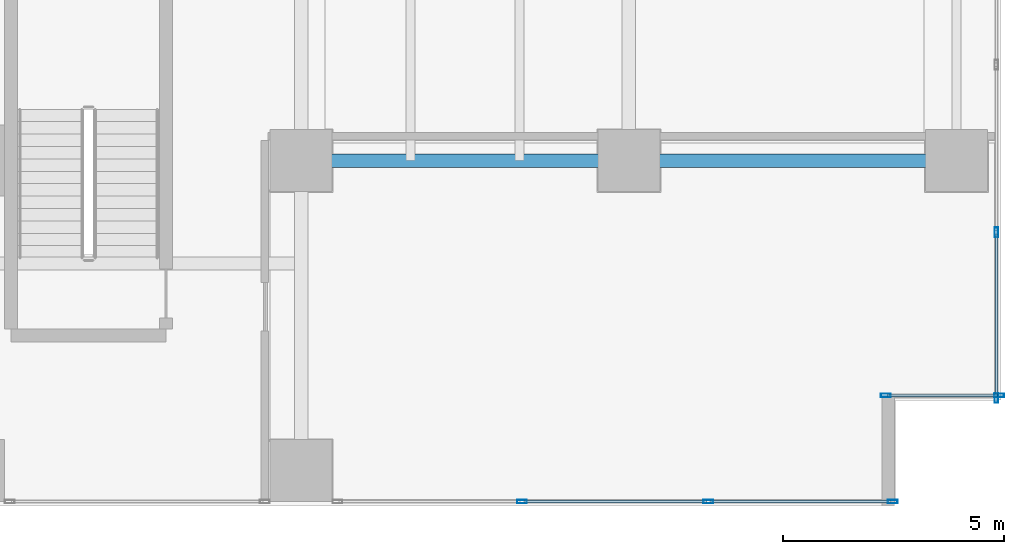
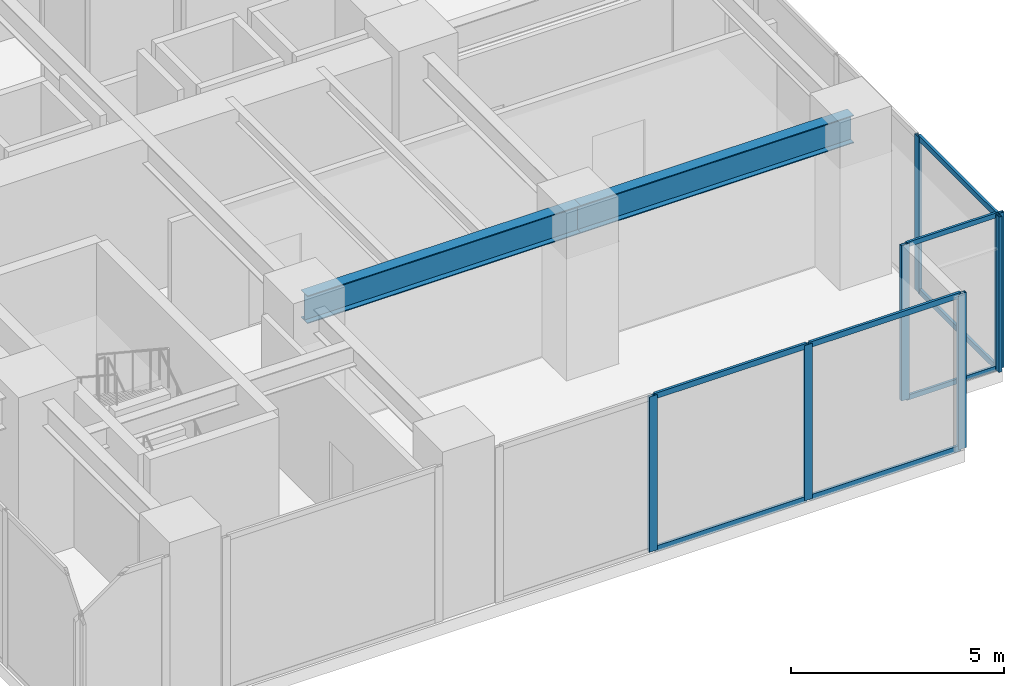
# One storey, part 23 of 39: 15 members, 2 beams, 3 elements without a shape of their own.
"""IFC4 building model written with IfcOpenShell, lengths in metres."""

from ifc_helpers import new_model, si_unit, direction, frame, origin, origin_2d, place, context, subcontext, project, spatial, hollow_rectangle, i_section, extrude, source, transform, mapped, material, layer, layer_set, material_profile, profile_set, type_object, type_shapes, element, aggregate, save


model = new_model("IFC4")

# Units and contexts
model_context = context("Model", 3, precision=1e-05, world=origin(), true_north=direction((0.0, 1.0)))
body_context = subcontext(model_context, "Body", "Model", "MODEL_VIEW")
ifc_project = project(units=[si_unit("LENGTHUNIT", "METRE"), si_unit("AREAUNIT", "SQUARE_METRE"), si_unit("VOLUMEUNIT", "CUBIC_METRE"), si_unit("PLANEANGLEUNIT", "RADIAN"), si_unit("MASSUNIT", "GRAM", prefix="KILO")], contexts=[model_context])

# Site, building, storey
site_placement = place(None, origin())
site = spatial("IfcSite", under=ifc_project, at=site_placement, CompositionType="ELEMENT")
building_placement = place(site_placement, origin())
building = spatial("IfcBuilding", under=site, at=building_placement, Name="Haelvirn Gate Laboratories", CompositionType="ELEMENT")
storey_placement = place(building_placement, frame((0.0, 0.0, 15.0)))
storey = spatial("IfcBuildingStorey", under=building, at=storey_placement, Name="L04", CompositionType="ELEMENT", Elevation=15.0)

# Beams
ifc_material_1 = material(Name="Steel SM420", Category="steel")
ifc_material_profile_1 = material_profile(ifc_material_1, i_section(OverallWidth=0.300048828125, OverallDepth=0.800048828125, WebThickness=0.013916015625, FlangeThickness=0.02587890625, at=origin_2d()), Name="H-800x300x14x26")
ifc_profile_set_1 = profile_set([ifc_material_profile_1], Name="Steel SM420")
beam_type = type_object("IfcBeamType", Name="BM-G-800", PredefinedType="BEAM", material=ifc_profile_set_1)
shared_shape_1 = source(origin(), body_context, "Body", "SweptSolid", [
    extrude(i_section(OverallWidth=0.300048828125, OverallDepth=0.800048828125, WebThickness=0.013916015625, FlangeThickness=0.02587890625, at=origin_2d()), origin(), (0.0, 0.0, 1.0), 7.400146484375),
])
beam_1_placement = place(storey_placement, frame((67.39990234375, 7.0, 4.050048828125), z_axis=(1.0, 0.0, 0.0), x_axis=(0.0, 1.0, 0.0)))
element("IfcBeam", 1, at=beam_1_placement, inside=storey, type_object=beam_type, Name="L04 Primary Girder Y7.0 (67.4-74.8)", PredefinedType="BEAM", context=body_context, shape_type="MappedRepresentation", body=[
    mapped(shared_shape_1, transform((0.0, 0.0, 0.0), scale=1.0)),
])
shared_shape_2 = source(origin(), body_context, "Body", "SweptSolid", [
    extrude(i_section(OverallWidth=0.300048828125, OverallDepth=0.800048828125, WebThickness=0.013916015625, FlangeThickness=0.02587890625, at=origin_2d()), origin(), (0.0, 0.0, 1.0), 7.39990234375),
])
type_shapes(beam_type, [shared_shape_1, shared_shape_2])
beam_2_placement = place(storey_placement, frame((60.0, 7.0, 4.050048828125), z_axis=(1.0, 0.0, 0.0), x_axis=(0.0, 1.0, 0.0)))
element("IfcBeam", 2, at=beam_2_placement, inside=storey, type_object=beam_type, Name="L04 Primary Girder Y7.0 (60.0-67.4)", PredefinedType="BEAM", context=body_context, shape_type="MappedRepresentation", body=[
    mapped(shared_shape_2, transform((0.0, 0.0, 0.0), scale=1.0)),
])

# Curtain wall, members
ifc_material_2 = material(Name="Anodised bronze unitised aluminium & triple low-E glass", Category="aluminium")
ifc_layer_1 = layer(ifc_material_2, 0.181884765625, Name="CW-SYS-5")
ifc_layer_set_1 = layer_set([ifc_layer_1], Name="Anodised bronze unitised aluminium & triple low-E glass")
curtain_wall_type_1 = type_object("IfcCurtainWallType", Name="CW-SYS-5", PredefinedType="NOTDEFINED", material=ifc_layer_set_1)
curtain_wall_1_placement = place(storey_placement, origin())
curtain_wall_1 = element("IfcCurtainWall", 3, at=curtain_wall_1_placement, inside=storey, type_object=curtain_wall_type_1, Name="L04 Unitised Curtain Wall CW-L04-P1-E02-1", PredefinedType="NOTDEFINED")
ifc_material_3 = material(Name="Extruded aluminium 6063-T6 (anodised bronze)", Category="aluminium")
ifc_material_profile_2 = material_profile(ifc_material_3, hollow_rectangle(XDim=0.06494140625, YDim=0.139892578125, WallThickness=0.00390625, at=origin_2d()), Name="CWT-140x65x4")
ifc_profile_set_2 = profile_set([ifc_material_profile_2], Name="Extruded aluminium 6063-T6 (anodised bronze)")
member_type_1 = type_object("IfcMemberType", Name="CWT-T140", PredefinedType="USERDEFINED", material=ifc_profile_set_2)
shared_shape_3 = source(origin(), body_context, "Body", "SweptSolid", [
    extrude(hollow_rectangle(XDim=0.06494140625, YDim=0.139892578125, WallThickness=0.00390625, at=origin_2d()), origin(), (0.0, 0.0, 1.0), 2.47998046875),
])
type_shapes(member_type_1, [shared_shape_3])
member_1_placement = place(storey_placement, frame((73.239990234375, 1.699951171875, 0.032470703125), z_axis=(1.0, 0.0, 0.0), x_axis=(0.0, 1.0, 0.0)))
member_1 = element("IfcMember", 4, at=member_1_placement, type_object=member_type_1, Name="CW5 transom 1.1", ObjectType="TRANSOM", PredefinedType="USERDEFINED", context=body_context, shape_type="MappedRepresentation", body=[
    mapped(shared_shape_3, transform((0.0, 0.0, 0.0), scale=1.0)),
])
member_2_placement = place(storey_placement, frame((73.239990234375, 1.699951171875, 4.41748046875), z_axis=(1.0, 0.0, 0.0), x_axis=(0.0, 1.0, 0.0)))
member_2 = element("IfcMember", 5, at=member_2_placement, type_object=member_type_1, Name="CW5 transom 1.2", ObjectType="TRANSOM", PredefinedType="USERDEFINED", context=body_context, shape_type="MappedRepresentation", body=[
    mapped(shared_shape_3, transform((0.0, 0.0, 0.0), scale=1.0)),
])

ifc_layer_2 = layer(ifc_material_2, 0.18798828125, Name="CW-SYS-1")
ifc_layer_set_2 = layer_set([ifc_layer_2], Name="Anodised bronze unitised aluminium & triple low-E glass")
curtain_wall_type_2 = type_object("IfcCurtainWallType", Name="CW-SYS-1", PredefinedType="NOTDEFINED", material=ifc_layer_set_2)
curtain_wall_2_placement = place(storey_placement, origin())
curtain_wall_2 = element("IfcCurtainWall", 6, at=curtain_wall_2_placement, inside=storey, type_object=curtain_wall_type_2, Name="L04 Unitised Curtain Wall CW-L04-P1-E03", PredefinedType="NOTDEFINED")
ifc_material_profile_3 = material_profile(ifc_material_3, hollow_rectangle(XDim=0.070068359375, YDim=0.159912109375, WallThickness=0.0048828125, at=origin_2d()), Name="CWT-160x70x5")
ifc_profile_set_3 = profile_set([ifc_material_profile_3], Name="Extruded aluminium 6063-T6 (anodised bronze)")
member_type_2 = type_object("IfcMemberType", Name="CWT-T160", PredefinedType="USERDEFINED", material=ifc_profile_set_3)
shared_shape_4 = source(origin(), body_context, "Body", "SweptSolid", [
    extrude(hollow_rectangle(XDim=0.070068359375, YDim=0.159912109375, WallThickness=0.0048828125, at=origin_2d()), origin(), (0.0, 0.0, 1.0), 3.663330078125),
])
member_3_placement = place(storey_placement, frame((75.699951171875, 1.679931640625, 0.034912109375), z_axis=(0.0, 1.0, 0.0), x_axis=(-1.0, 0.0, 0.0)))
member_3 = element("IfcMember", 7, at=member_3_placement, type_object=member_type_2, Name="CW1 transom 1.1", ObjectType="TRANSOM", PredefinedType="USERDEFINED", context=body_context, shape_type="MappedRepresentation", body=[
    mapped(shared_shape_4, transform((0.0, 0.0, 0.0), scale=1.0)),
])
member_4_placement = place(storey_placement, frame((75.699951171875, 1.679931640625, 4.4150390625), z_axis=(0.0, 1.0, 0.0), x_axis=(-1.0, 0.0, 0.0)))
member_4 = element("IfcMember", 8, at=member_4_placement, type_object=member_type_2, Name="CW1 transom 1.2", ObjectType="TRANSOM", PredefinedType="USERDEFINED", context=body_context, shape_type="MappedRepresentation", body=[
    mapped(shared_shape_4, transform((0.0, 0.0, 0.0), scale=1.0)),
])

curtain_wall_3_placement = place(storey_placement, origin())
curtain_wall_3 = element("IfcCurtainWall", 9, at=curtain_wall_3_placement, inside=storey, type_object=curtain_wall_type_2, Name="L04 Unitised Curtain Wall CW-L04-P1-E00-1-S3", PredefinedType="NOTDEFINED")
shared_shape_5 = source(origin(), body_context, "Body", "SweptSolid", [
    extrude(hollow_rectangle(XDim=0.070068359375, YDim=0.159912109375, WallThickness=0.0048828125, at=origin_2d()), origin(), (0.0, 0.0, 1.0), 4.086669921875),
])
member_5_placement = place(storey_placement, frame((69.2333984375, -0.699951171875, 0.034912109375), z_axis=(1.0, 0.0, 0.0), x_axis=(0.0, 1.0, 0.0)))
member_5 = element("IfcMember", 10, at=member_5_placement, type_object=member_type_2, Name="CW1 transom 3.1", ObjectType="TRANSOM", PredefinedType="USERDEFINED", context=body_context, shape_type="MappedRepresentation", body=[
    mapped(shared_shape_5, transform((0.0, 0.0, 0.0), scale=1.0)),
])
member_6_placement = place(storey_placement, frame((69.2333984375, -0.699951171875, 4.4150390625), z_axis=(1.0, 0.0, 0.0), x_axis=(0.0, 1.0, 0.0)))
member_6 = element("IfcMember", 11, at=member_6_placement, type_object=member_type_2, Name="CW1 transom 3.2", ObjectType="TRANSOM", PredefinedType="USERDEFINED", context=body_context, shape_type="MappedRepresentation", body=[
    mapped(shared_shape_5, transform((0.0, 0.0, 0.0), scale=1.0)),
])
shared_shape_6 = source(origin(), body_context, "Body", "SweptSolid", [
    extrude(hollow_rectangle(XDim=0.070068359375, YDim=0.159912109375, WallThickness=0.0048828125, at=origin_2d()), origin(), (0.0, 0.0, 1.0), 4.126708984375),
])
type_shapes(member_type_2, [shared_shape_4, shared_shape_5, shared_shape_6])
member_7_placement = place(storey_placement, frame((65.026611328125, -0.699951171875, 0.034912109375), z_axis=(1.0, 0.0, 0.0), x_axis=(0.0, 1.0, 0.0)))
member_7 = element("IfcMember", 12, at=member_7_placement, type_object=member_type_2, Name="CW1 transom 2.1", ObjectType="TRANSOM", PredefinedType="USERDEFINED", context=body_context, shape_type="MappedRepresentation", body=[
    mapped(shared_shape_6, transform((0.0, 0.0, 0.0), scale=1.0)),
])
member_8_placement = place(storey_placement, frame((65.026611328125, -0.699951171875, 4.4150390625), z_axis=(1.0, 0.0, 0.0), x_axis=(0.0, 1.0, 0.0)))
member_8 = element("IfcMember", 13, at=member_8_placement, type_object=member_type_2, Name="CW1 transom 2.2", ObjectType="TRANSOM", PredefinedType="USERDEFINED", context=body_context, shape_type="MappedRepresentation", body=[
    mapped(shared_shape_6, transform((0.0, 0.0, 0.0), scale=1.0)),
])
ifc_material_profile_4 = material_profile(ifc_material_3, hollow_rectangle(XDim=0.080078125, YDim=0.219970703125, WallThickness=0.006103515625, at=origin_2d()), Name="CWM-220x80x6")
ifc_profile_set_4 = profile_set([ifc_material_profile_4], Name="Extruded aluminium 6063-T6 (anodised bronze)")
member_type_3 = type_object("IfcMemberType", Name="CWM-T220", PredefinedType="MULLION", material=ifc_profile_set_4)
shared_shape_7 = source(origin(), body_context, "Body", "SweptSolid", [
    extrude(hollow_rectangle(XDim=0.080078125, YDim=0.219970703125, WallThickness=0.006103515625, at=origin_2d()), origin(), (0.0, 0.0, 1.0), 4.449951171875),
])
type_shapes(member_type_3, [shared_shape_7])
member_9_placement = place(storey_placement, frame((64.986572265625, -0.699951171875, 0.0), z_axis=(0.0, 0.0, 1.0), x_axis=(0.0, 1.0, 0.0)))
member_9 = element("IfcMember", 14, at=member_9_placement, type_object=member_type_3, Name="CW1 mullion 2", PredefinedType="MULLION", context=body_context, shape_type="MappedRepresentation", body=[
    mapped(shared_shape_7, transform((0.0, 0.0, 0.0), scale=1.0)),
])
member_10_placement = place(storey_placement, frame((69.193359375, -0.699951171875, 0.0), z_axis=(0.0, 0.0, 1.0), x_axis=(0.0, 1.0, 0.0)))
member_10 = element("IfcMember", 15, at=member_10_placement, type_object=member_type_3, Name="CW1 mullion 3", PredefinedType="MULLION", context=body_context, shape_type="MappedRepresentation", body=[
    mapped(shared_shape_7, transform((0.0, 0.0, 0.0), scale=1.0)),
])
member_11_placement = place(storey_placement, frame((73.360107421875, -0.699951171875, 0.0), z_axis=(0.0, 0.0, 1.0), x_axis=(0.0, 1.0, 0.0)))
member_11 = element("IfcMember", 16, at=member_11_placement, type_object=member_type_3, Name="CW1 mullion 4", PredefinedType="MULLION", context=body_context, shape_type="MappedRepresentation", body=[
    mapped(shared_shape_7, transform((0.0, 0.0, 0.0), scale=1.0)),
])
aggregate(curtain_wall_3, [member_9, member_10, member_11, member_7, member_8, member_5, member_6])

# Member
member_12_placement = place(storey_placement, frame((73.199951171875, 1.699951171875, 0.0), z_axis=(0.0, 0.0, 1.0), x_axis=(0.0, 1.0, 0.0)))
member_12 = element("IfcMember", 17, at=member_12_placement, type_object=member_type_3, Name="CW5 mullion 1", PredefinedType="MULLION", context=body_context, shape_type="MappedRepresentation", body=[
    mapped(shared_shape_7, transform((0.0, 0.0, 0.0), scale=1.0)),
])

member_13_placement = place(storey_placement, frame((75.760009765625, 1.699951171875, 0.0), z_axis=(0.0, 0.0, 1.0), x_axis=(0.0, 1.0, 0.0)))
member_13 = element("IfcMember", 18, at=member_13_placement, type_object=member_type_3, Name="CW5 mullion 2", PredefinedType="MULLION", context=body_context, shape_type="MappedRepresentation", body=[
    mapped(shared_shape_7, transform((0.0, 0.0, 0.0), scale=1.0)),
])

aggregate(curtain_wall_1, [member_12, member_13, member_1, member_2])

member_14_placement = place(storey_placement, frame((75.699951171875, 1.639892578125, 0.0), z_axis=(0.0, 0.0, 1.0), x_axis=(-1.0, 0.0, 0.0)))
member_14 = element("IfcMember", 19, at=member_14_placement, type_object=member_type_3, Name="CW1 mullion 1", PredefinedType="MULLION", context=body_context, shape_type="MappedRepresentation", body=[
    mapped(shared_shape_7, transform((0.0, 0.0, 0.0), scale=1.0)),
])

member_15_placement = place(storey_placement, frame((75.699951171875, 5.38330078125, 0.0), z_axis=(0.0, 0.0, 1.0), x_axis=(-1.0, 0.0, 0.0)))
member_15 = element("IfcMember", 20, at=member_15_placement, type_object=member_type_3, Name="CW1 mullion 2", PredefinedType="MULLION", context=body_context, shape_type="MappedRepresentation", body=[
    mapped(shared_shape_7, transform((0.0, 0.0, 0.0), scale=1.0)),
])

aggregate(curtain_wall_2, [member_14, member_15, member_3, member_4])

save(model, "model.ifc")
